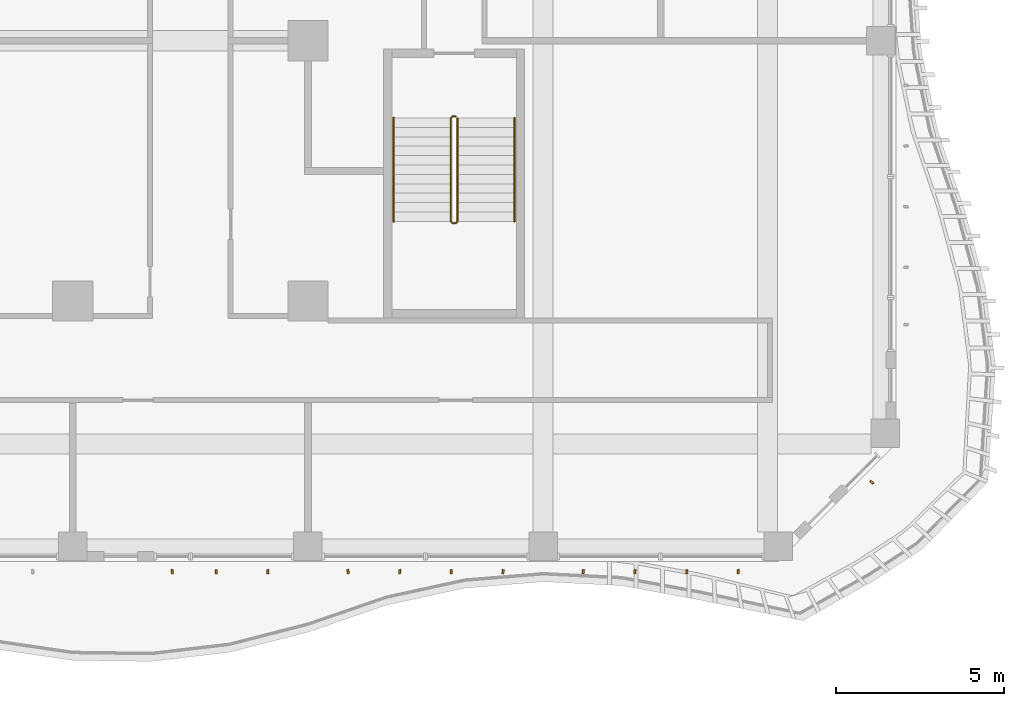
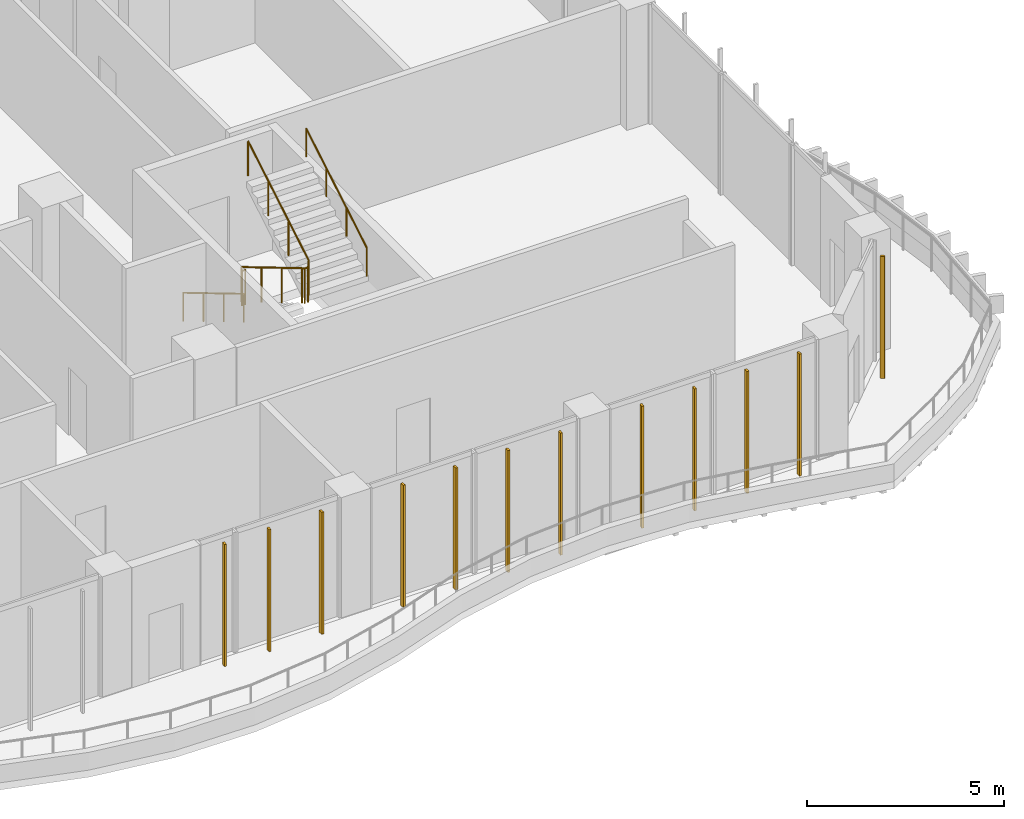
# One storey, part 21 of 26: 12 shading devices, 3 railings.
"""IFC4 building model written with IfcOpenShell, lengths in metres."""

from ifc_helpers import new_model, si_unit, direction, frame, origin, origin_2d, place, context, subcontext, project, spatial, rectangle, circle, extrude, source, transform, mapped, material, material_profile, profile_set, type_object, element, save


model = new_model("IFC4")

# Units and contexts
model_context = context("Model", 3, precision=1e-05, world=origin(), true_north=direction((0.0, 1.0)))
body_context = subcontext(model_context, "Body", "Model", "MODEL_VIEW")
ifc_project = project(units=[si_unit("LENGTHUNIT", "METRE"), si_unit("AREAUNIT", "SQUARE_METRE"), si_unit("VOLUMEUNIT", "CUBIC_METRE"), si_unit("PLANEANGLEUNIT", "RADIAN"), si_unit("MASSUNIT", "GRAM", prefix="KILO")], contexts=[model_context])

# Site, building, storey
site_placement = place(None, origin())
site = spatial("IfcSite", under=ifc_project, at=site_placement, CompositionType="ELEMENT")
building_placement = place(site_placement, origin())
building = spatial("IfcBuilding", under=site, at=building_placement, Name="Kilnfold Tower and Market Hall", CompositionType="ELEMENT")
storey_placement = place(building_placement, frame((0.0, 0.0, 108.60009765625)))
storey = spatial("IfcBuildingStorey", under=building, at=storey_placement, Name="L25", CompositionType="ELEMENT", Elevation=108.60009765625)

# Railings
ifc_material_1 = material(Name="Stainless steel 316", Category="steel")
railing_type_1 = type_object("IfcRailingType", Name="CORE STAIR GUARD 1100", PredefinedType="GUARDRAIL", material=ifc_material_1)
railing_1_placement = place(storey_placement, frame((19.89990234375, -9.75, 0.0)))
element("IfcRailing", 1, at=railing_1_placement, inside=storey, type_object=railing_type_1, Name="L25 ST4 stair guard 1", PredefinedType="GUARDRAIL", context=body_context, shape_type="SweptSolid", body=[
    extrude(circle(Radius=0.02392578125, at=origin_2d()), frame((0.0, 0.0, 1.076171875), z_axis=(-1.0, 0.0, 0.0), x_axis=(0.0, -1.0, 0.0)), (0.0, 0.0, 1.0), 0.099853515625),
    extrude(circle(Radius=0.02392578125, at=origin_2d()), frame((-0.099853515625, 0.0, 1.076171875), z_axis=(-0.27662974545, -0.27662974545, 0.920299933644), x_axis=(0.707106781187, -0.707106781187, 0.0)), (0.0, 0.0, 1.0), 0.180908203125),
    extrude(circle(Radius=0.02392578125, at=origin_2d()), frame((-0.14990234375, -0.050048828125, 1.24267578125), z_axis=(0.0, -0.859260807169, 0.511537745687), x_axis=(1.0, 0.0, 0.0)), (0.0, 0.0, 1.0), 3.584228515625),
    extrude(circle(Radius=0.02392578125, at=origin_2d()), frame((-0.14990234375, -3.1298828125, 3.076171875), z_axis=(0.707106781187, -0.707106781187, 0.0), x_axis=(0.707106781187, 0.707106781187, 0.0)), (0.0, 0.0, 1.0), 0.07080078125),
    extrude(circle(Radius=0.02392578125, at=origin_2d()), frame((-0.099853515625, -3.179931640625, 3.076171875), z_axis=(1.0, 0.0, 0.0), x_axis=(0.0, 1.0, 0.0)), (0.0, 0.0, 1.0), 0.099853515625),
    extrude(circle(Radius=0.02392578125, at=origin_2d()), frame((0.0, -3.179931640625, 3.076171875), z_axis=(0.27662974545, 0.27662974545, 0.920299933644), x_axis=(-0.707106781187, 0.707106781187, 0.0)), (0.0, 0.0, 1.0), 0.180908203125),
    extrude(circle(Radius=0.02392578125, at=origin_2d()), frame((0.050048828125, -3.1298828125, 3.24267578125), z_axis=(0.0, 0.859260807169, 0.511537745687), x_axis=(-1.0, 0.0, 0.0)), (0.0, 0.0, 1.0), 3.584228515625),
    extrude(circle(Radius=0.02099609375, at=origin_2d()), origin(), (0.0, 0.0, 1.0), 1.052001953125),
    extrude(circle(Radius=0.02099609375, at=origin_2d()), frame((-0.099853515625, 0.0, 0.0)), (0.0, 0.0, 1.0), 1.052001953125),
    extrude(circle(Radius=0.02099609375, at=origin_2d()), frame((-0.14990234375, -0.050048828125, 0.16650390625)), (0.0, 0.0, 1.0), 1.052001953125),
    extrude(circle(Radius=0.02099609375, at=origin_2d()), frame((-0.14990234375, -1.07666015625, 0.777587890625)), (0.0, 0.0, 1.0), 1.052001953125),
    extrude(circle(Radius=0.02099609375, at=origin_2d()), frame((-0.14990234375, -2.103271484375, 1.388916015625)), (0.0, 0.0, 1.0), 1.052001953125),
    extrude(circle(Radius=0.02099609375, at=origin_2d()), frame((-0.14990234375, -3.1298828125, 2.0)), (0.0, 0.0, 1.0), 1.052001953125),
    extrude(circle(Radius=0.02099609375, at=origin_2d()), frame((-0.099853515625, -3.179931640625, 2.0)), (0.0, 0.0, 1.0), 1.052001953125),
    extrude(circle(Radius=0.02099609375, at=origin_2d()), frame((0.0, -3.179931640625, 2.0)), (0.0, 0.0, 1.0), 1.052001953125),
    extrude(circle(Radius=0.02099609375, at=origin_2d()), frame((0.050048828125, -3.1298828125, 2.16650390625)), (0.0, 0.0, 1.0), 1.052001953125),
    extrude(circle(Radius=0.02099609375, at=origin_2d()), frame((0.050048828125, -2.103271484375, 2.777587890625)), (0.0, 0.0, 1.0), 1.052001953125),
    extrude(circle(Radius=0.02099609375, at=origin_2d()), frame((0.050048828125, -1.07666015625, 3.388916015625)), (0.0, 0.0, 1.0), 1.052001953125),
    extrude(circle(Radius=0.02099609375, at=origin_2d()), frame((0.050048828125, -0.050048828125, 4.0)), (0.0, 0.0, 1.0), 1.052001953125),
])
ifc_material_2 = material(Name="Stainless steel 316", Category="steel")
railing_type_2 = type_object("IfcRailingType", Name="CORE STAIR HANDRAIL 900", PredefinedType="HANDRAIL", material=ifc_material_2)
railing_2_placement = place(storey_placement, frame((18.050048828125, -9.800048828125, 0.16650390625)))
element("IfcRailing", 2, at=railing_2_placement, inside=storey, type_object=railing_type_2, Name="L25 ST4 stair handrail 1", PredefinedType="HANDRAIL", context=body_context, shape_type="SweptSolid", body=[
    extrude(circle(Radius=0.02392578125, at=origin_2d()), frame((0.0, 0.0, 0.8759765625), z_axis=(0.0, -0.859260807169, 0.511537745687), x_axis=(1.0, 0.0, 0.0)), (0.0, 0.0, 1.0), 3.584228515625),
    extrude(circle(Radius=0.02099609375, at=origin_2d()), origin(), (0.0, 0.0, 1.0), 0.851806640625),
    extrude(circle(Radius=0.02099609375, at=origin_2d()), frame((0.0, -1.026611328125, 0.611083984375)), (0.0, 0.0, 1.0), 0.851806640625),
    extrude(circle(Radius=0.02099609375, at=origin_2d()), frame((0.0, -2.05322265625, 1.222412109375)), (0.0, 0.0, 1.0), 0.851806640625),
    extrude(circle(Radius=0.02099609375, at=origin_2d()), frame((0.0, -3.079833984375, 1.83349609375)), (0.0, 0.0, 1.0), 0.851806640625),
])
railing_3_placement = place(storey_placement, frame((21.64990234375, -12.8798828125, 2.16650390625)))
element("IfcRailing", 3, at=railing_3_placement, inside=storey, type_object=railing_type_2, Name="L25 ST4 stair handrail 2", PredefinedType="HANDRAIL", context=body_context, shape_type="SweptSolid", body=[
    extrude(circle(Radius=0.02392578125, at=origin_2d()), frame((0.0, 0.0, 0.8759765625), z_axis=(0.0, 0.859260807169, 0.511537745687), x_axis=(-1.0, 0.0, 0.0)), (0.0, 0.0, 1.0), 3.584228515625),
    extrude(circle(Radius=0.02099609375, at=origin_2d()), origin(), (0.0, 0.0, 1.0), 0.851806640625),
    extrude(circle(Radius=0.02099609375, at=origin_2d()), frame((0.0, 1.026611328125, 0.611083984375)), (0.0, 0.0, 1.0), 0.851806640625),
    extrude(circle(Radius=0.02099609375, at=origin_2d()), frame((0.0, 2.05322265625, 1.222412109375)), (0.0, 0.0, 1.0), 0.851806640625),
    extrude(circle(Radius=0.02099609375, at=origin_2d()), frame((0.0, 3.079833984375, 1.83349609375)), (0.0, 0.0, 1.0), 0.851806640625),
])

# Shading devices
ifc_material_3 = material(Name="Terracotta", Category="masonry")
ifc_material_profile = material_profile(ifc_material_3, rectangle(XDim=0.06005859375, YDim=0.1201171875, at=origin_2d()), Name="BAG 60x120")
ifc_profile_set = profile_set([ifc_material_profile], Name="Terracotta")
shading_device_type = type_object("IfcShadingDeviceType", Name="BAGUETTE", PredefinedType="USERDEFINED", material=ifc_profile_set)
shared_shape = source(origin(), body_context, "Body", "SweptSolid", [
    extrude(rectangle(XDim=0.06005859375, YDim=0.1201171875, at=origin_2d()), origin(), (0.0, 0.0, 1.0), 3.77978515625),
])
for number, where, z_axis, x_axis, name in (
    (4, (11.46240234375, -23.300048828125, 0.0), (0.0, 0.0, 1.0), (0.995594590303, -0.093762528549, 0.0), "Terracotta baguette L25 S"),
    (5, (12.768798828125, -23.300048828125, 0.0), (0.0, 0.0, 1.0), (0.999778411433, -0.021050606442, 0.0), "Terracotta baguette L25 S"),
    (6, (14.306396484375, -23.300048828125, 0.0), (0.0, 0.0, 1.0), (0.997435789037, 0.071567078661, 0.0), "Terracotta baguette L25 S"),
    (7, (16.693603515625, -23.300048828125, 0.0), (0.0, 0.0, 1.0), (0.990283122923, 0.139065942828, 0.0), "Terracotta baguette L25 S"),
    (8, (18.231201171875, -23.300048828125, 0.0), (0.0, 0.0, 1.0), (0.994586469456, 0.103912245548, 0.0), "Terracotta baguette L25 S"),
    (9, (19.768798828125, -23.300048828125, 0.0), (0.0, 0.0, 1.0), (0.999778411433, 0.021050606442, 0.0), "Terracotta baguette L25 S"),
    (10, (21.306396484375, -23.300048828125, 0.0), (0.0, 0.0, 1.0), (0.997435789037, -0.071567078661, 0.0), "Terracotta baguette L25 S"),
    (11, (23.693603515625, -23.300048828125, 0.0), (0.0, 0.0, 1.0), (0.990283122923, -0.139065942828, 0.0), "Terracotta baguette L25 S"),
    (12, (25.231201171875, -23.300048828125, 0.0), (0.0, 0.0, 1.0), (0.994586469456, -0.103912245548, 0.0), "Terracotta baguette L25 S"),
    (13, (26.768798828125, -23.300048828125, 0.0), (0.0, 0.0, 1.0), (0.999778411433, -0.021050606442, 0.0), "Terracotta baguette L25 S"),
    (14, (28.306396484375, -23.300048828125, 0.0), (0.0, 0.0, 1.0), (0.997435789037, 0.071567078661, 0.0), "Terracotta baguette L25 S"),
    (15, (32.28173828125, -20.642578125, 0.0), (0.0, 0.0, 1.0), (0.664181983961, 0.74757092786, 0.0), "Terracotta baguette L25 SE"),
):
    element("IfcShadingDevice", number, at=place(storey_placement, frame(where, z_axis=z_axis, x_axis=x_axis)), inside=storey, type_object=shading_device_type, Name=name, ObjectType="BAGUETTE", PredefinedType="USERDEFINED", context=body_context, shape_type="MappedRepresentation", body=[
        mapped(shared_shape, transform((0.0, 0.0, 0.0))),
    ])

save(model, "model.ifc")
